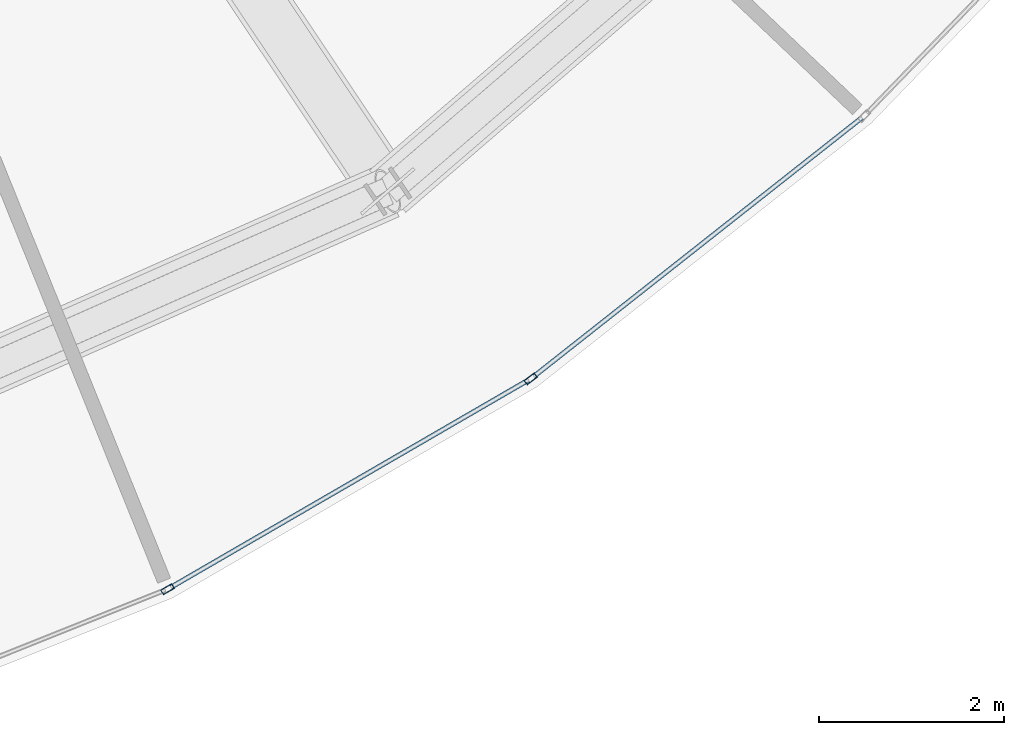
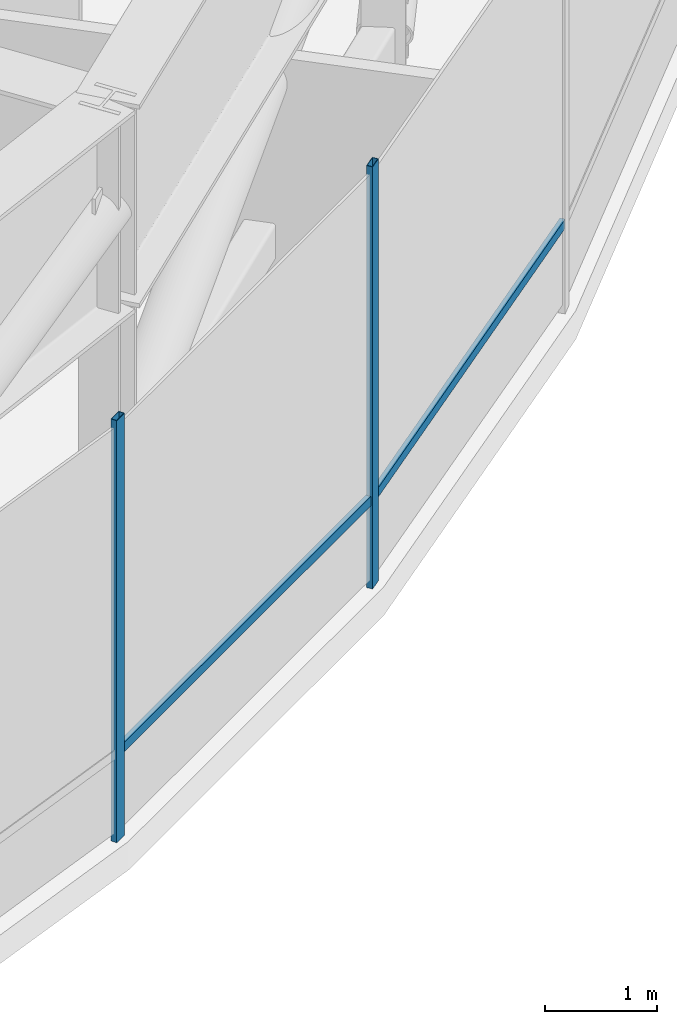
# One storey, part 13 of 30: 4 members, 1 element without a shape of its own.
"""IFC4 building model written with IfcOpenShell, lengths in metres."""

from ifc_helpers import new_model, si_unit, direction, frame, origin, origin_2d, place, context, subcontext, project, spatial, hollow_rectangle, extrude, source, transform, mapped, material, layer, layer_set, material_profile, profile_set, type_object, element, aggregate, save


model = new_model("IFC4")

# Units and contexts
model_context = context("Model", 3, precision=1e-05, world=origin(), true_north=direction((0.0, 1.0)))
body_context = subcontext(model_context, "Body", "Model", "MODEL_VIEW")
ifc_project = project(units=[si_unit("LENGTHUNIT", "METRE"), si_unit("AREAUNIT", "SQUARE_METRE"), si_unit("VOLUMEUNIT", "CUBIC_METRE"), si_unit("PLANEANGLEUNIT", "RADIAN"), si_unit("MASSUNIT", "GRAM", prefix="KILO"), si_unit("THERMODYNAMICTEMPERATUREUNIT", "KELVIN")], contexts=[model_context])

# Site, building, storey
site_placement = place(None, origin())
site = spatial("IfcSite", under=ifc_project, at=site_placement, CompositionType="ELEMENT")
building_placement = place(site_placement, origin())
building = spatial("IfcBuilding", under=site, at=building_placement, Name="Kethvar Cultural Tower", CompositionType="ELEMENT")
storey_placement = place(building_placement, frame((0.0, 0.0, 171.39990234375)))
storey = spatial("IfcBuildingStorey", under=building, at=storey_placement, Name="L44", CompositionType="ELEMENT", Elevation=171.39990234375)

# Curtain wall, members
ifc_material = material(Name="Aluminium 6063-T6", Category="aluminium")
ifc_layer = layer(ifc_material, 0.179931640625, Name="Aluminium 6063-T6", Category="aluminium")
ifc_layer_set = layer_set([ifc_layer], Name="Aluminium 6063-T6 (180 mm)")
curtain_wall_type = type_object("IfcCurtainWallType", Name="CW-SYS-04-Z34", PredefinedType="NOTDEFINED", material=ifc_layer_set)
curtain_wall_placement = place(storey_placement, origin())
curtain_wall = element("IfcCurtainWall", 1, at=curtain_wall_placement, inside=storey, type_object=curtain_wall_type, Name="L44 Curtain Wall Run 05", PredefinedType="NOTDEFINED")
ifc_material_profile_1 = material_profile(ifc_material, hollow_rectangle(XDim=0.06005859375, YDim=0.139892578125, WallThickness=0.0048828125, at=origin_2d()), Name="Aluminium 6063-T6 — RHS140x60x5")
ifc_profile_set_1 = profile_set([ifc_material_profile_1], Name="Aluminium 6063-T6 — RHS140x60x5")
member_type_1 = type_object("IfcMemberType", Name="CW-SYS-04-Z34-MUL", PredefinedType="MULLION", material=ifc_profile_set_1)
shared_shape_1 = source(origin(), body_context, "Body", "SweptSolid", [
    extrude(hollow_rectangle(XDim=0.06005859375, YDim=0.139892578125, WallThickness=0.0048828125, at=origin_2d()), origin(), (0.0, 0.0, 1.0), 4.580078125),
])
member_1_placement = place(storey_placement, frame((54.86083984375, 7.86865234375, 0.0), z_axis=(0.0, 0.0, 1.0), x_axis=(-0.50146543725, 0.865177678425, 0.0)))
member_1 = element("IfcMember", 2, at=member_1_placement, type_object=member_type_1, Name="CW-L44-R05 Mullion 3", PredefinedType="MULLION", context=body_context, shape_type="MappedRepresentation", body=[
    mapped(shared_shape_1, transform((0.0, 0.0, 0.0), scale=1.0)),
])
member_2_placement = place(storey_placement, frame((58.789306640625, 10.144287109375, 0.0), z_axis=(0.0, 0.0, 1.0), x_axis=(-0.619203594204, 0.785230481404, 0.0)))
member_2 = element("IfcMember", 3, at=member_2_placement, type_object=member_type_1, Name="CW-L44-R05 Mullion 4", PredefinedType="MULLION", context=body_context, shape_type="MappedRepresentation", body=[
    mapped(shared_shape_1, transform((0.0, 0.0, 0.0), scale=1.0)),
])
ifc_material_profile_2 = material_profile(ifc_material, hollow_rectangle(XDim=0.050048828125, YDim=0.10009765625, WallThickness=0.00390625, at=origin_2d()), Name="Aluminium 6063-T6 — RHS100x50x4")
ifc_profile_set_2 = profile_set([ifc_material_profile_2], Name="Aluminium 6063-T6 — RHS100x50x4")
member_type_2 = type_object("IfcMemberType", Name="CW-SYS-04-Z34-TRN", PredefinedType="USERDEFINED", material=ifc_profile_set_2)
shared_shape_2 = source(origin(), body_context, "Body", "SweptSolid", [
    extrude(hollow_rectangle(XDim=0.050048828125, YDim=0.10009765625, WallThickness=0.00390625, at=origin_2d()), origin(), (0.0, 0.0, 1.0), 4.46923828125),
])
member_3_placement = place(storey_placement, frame((54.898193359375, 7.89013671875, 0.9501953125), z_axis=(0.865174350318, 0.501471179184, 0.0), x_axis=(-0.501471179184, 0.865174350318, 0.0)))
member_3 = element("IfcMember", 4, at=member_3_placement, type_object=member_type_2, Name="CW-L44-R05 Transom 3", ObjectType="TRANSOM", PredefinedType="USERDEFINED", context=body_context, shape_type="MappedRepresentation", body=[
    mapped(shared_shape_2, transform((0.0, 0.0, 0.0), scale=1.0)),
])
shared_shape_3 = source(origin(), body_context, "Body", "SweptSolid", [
    extrude(hollow_rectangle(XDim=0.050048828125, YDim=0.10009765625, WallThickness=0.00390625, at=origin_2d()), origin(), (0.0, 0.0, 1.0), 4.51953125),
])
member_4_placement = place(storey_placement, frame((58.8232421875, 10.1708984375, 0.9501953125), z_axis=(0.78521865504, 0.619218591272, 0.0), x_axis=(-0.619218591272, 0.78521865504, 0.0)))
member_4 = element("IfcMember", 5, at=member_4_placement, type_object=member_type_2, Name="CW-L44-R05 Transom 4", ObjectType="TRANSOM", PredefinedType="USERDEFINED", context=body_context, shape_type="MappedRepresentation", body=[
    mapped(shared_shape_3, transform((0.0, 0.0, 0.0), scale=1.0)),
])
aggregate(curtain_wall, [member_1, member_2, member_3, member_4])

save(model, "model.ifc")
